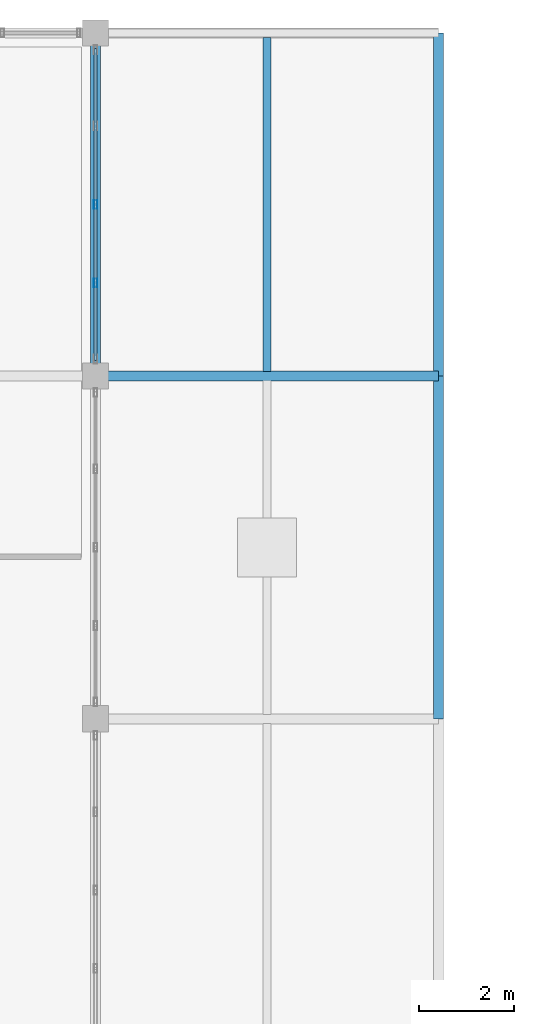
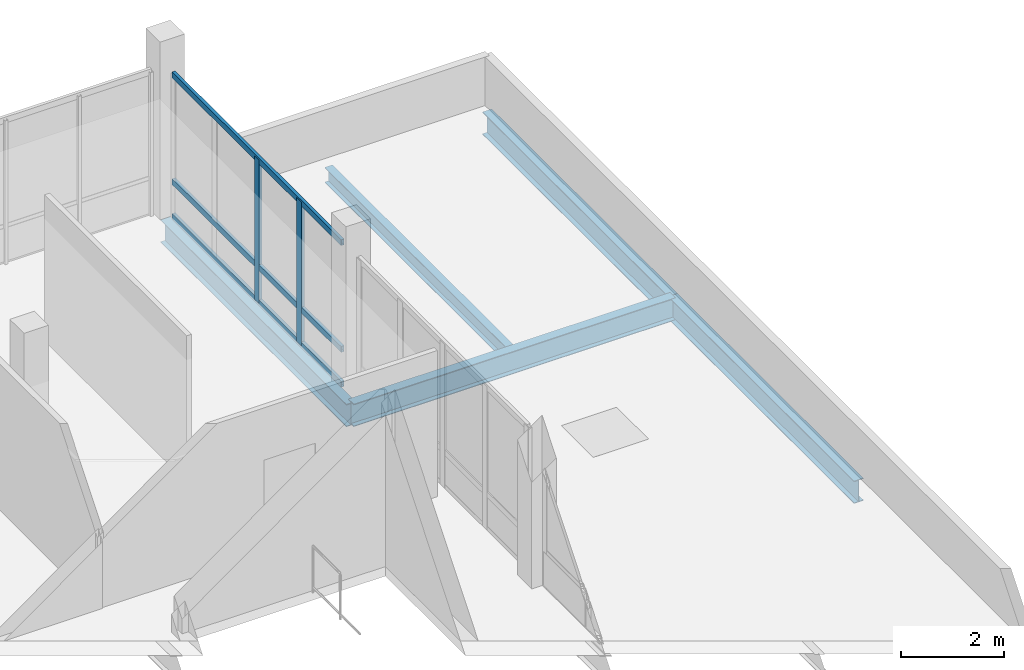
# One storey, part 12 of 28: 5 beams, 5 members, 1 element without a shape of its own.
"""IFC4 building model written with IfcOpenShell, lengths in metres."""

from ifc_helpers import new_model, si_unit, direction, frame, origin, origin_2d, place, context, subcontext, project, spatial, hollow_rectangle, i_section, extrude, material, material_profile, profile_set, type_object, element, aggregate, save


model = new_model("IFC4")

# Units and contexts
model_context = context("Model", 3, precision=1e-05, world=origin(), true_north=direction((0.0, 1.0)))
body_context = subcontext(model_context, "Body", "Model", "MODEL_VIEW")
ifc_project = project(units=[si_unit("LENGTHUNIT", "METRE"), si_unit("AREAUNIT", "SQUARE_METRE"), si_unit("VOLUMEUNIT", "CUBIC_METRE"), si_unit("PLANEANGLEUNIT", "RADIAN"), si_unit("MASSUNIT", "GRAM", prefix="KILO")], contexts=[model_context])

# Site, building, storey
site_placement = place(None, origin())
site = spatial("IfcSite", under=ifc_project, at=site_placement, CompositionType="ELEMENT")
building_placement = place(site_placement, origin())
building = spatial("IfcBuilding", under=site, at=building_placement, Name="Yarey Park Central Fire Station", CompositionType="ELEMENT")
storey_placement = place(building_placement, frame((0.0, 0.0, 22.199951171875)))
storey = spatial("IfcBuildingStorey", under=building, at=storey_placement, Name="L06", CompositionType="ELEMENT", Elevation=22.199951171875)

# Curtain wall, members
ifc_material_1 = material(Name="Anodized Aluminium Frame", Category="aluminium")
curtain_wall_type = type_object("IfcCurtainWallType", Name="ENV_CW_HQ_L06", PredefinedType="NOTDEFINED", material=ifc_material_1)
curtain_wall_placement = place(storey_placement, origin())
curtain_wall = element("IfcCurtainWall", 1, at=curtain_wall_placement, inside=storey, type_object=curtain_wall_type, Name="CW_L06_V4_E_108", PredefinedType="NOTDEFINED")
ifc_material_profile_1 = material_profile(ifc_material_1, hollow_rectangle(XDim=0.070068359375, YDim=0.179931640625, WallThickness=0.00390625, at=origin_2d()), Name="ALU 180x70x4")
ifc_profile_set_1 = profile_set([ifc_material_profile_1], Name="Anodized Aluminium Frame")
member_type_1 = type_object("IfcMemberType", Name="ENV_CW_MULLION", PredefinedType="MULLION", material=ifc_profile_set_1)
member_1_placement = place(storey_placement, frame((144.0, 109.955078125, 0.0), z_axis=(0.0, 0.0, 1.0), x_axis=(1.0, 0.0, 0.0)))
member_1 = element("IfcMember", 2, at=member_1_placement, type_object=member_type_1, Name="CW_L06_V4_E_108_MUL2", PredefinedType="MULLION", context=body_context, shape_type="SweptSolid", body=[
    extrude(hollow_rectangle(XDim=0.070068359375, YDim=0.179931640625, WallThickness=0.00390625, at=origin_2d()), origin(), (0.0, 0.0, 1.0), 3.400146484375),
])
member_2_placement = place(storey_placement, frame((144.0, 111.60009765625, 0.0), z_axis=(0.0, 0.0, 1.0), x_axis=(1.0, 0.0, 0.0)))
member_2 = element("IfcMember", 3, at=member_2_placement, type_object=member_type_1, Name="CW_L06_V4_E_108_MUL3", PredefinedType="MULLION", context=body_context, shape_type="SweptSolid", body=[
    extrude(hollow_rectangle(XDim=0.070068359375, YDim=0.179931640625, WallThickness=0.00390625, at=origin_2d()), origin(), (0.0, 0.0, 1.0), 3.400146484375),
])
ifc_material_profile_2 = material_profile(ifc_material_1, hollow_rectangle(XDim=0.070068359375, YDim=0.139892578125, WallThickness=0.00390625, at=origin_2d()), Name="ALU 140x70x4")
ifc_profile_set_2 = profile_set([ifc_material_profile_2], Name="Anodized Aluminium Frame")
member_type_2 = type_object("IfcMemberType", Name="ENV_CW_TRANSOM", PredefinedType="USERDEFINED", material=ifc_profile_set_2)
member_3_placement = place(storey_placement, frame((144.0, 108.324951171875, 0.025146484375), z_axis=(0.0, 1.0, 0.0), x_axis=(-1.0, 0.0, 0.0)))
member_3 = element("IfcMember", 4, at=member_3_placement, type_object=member_type_2, Name="CW_L06_V4_E_108_TRN1", ObjectType="TRANSOM", PredefinedType="USERDEFINED", context=body_context, shape_type="SweptSolid", body=[
    extrude(hollow_rectangle(XDim=0.070068359375, YDim=0.139892578125, WallThickness=0.00390625, at=origin_2d()), origin(), (0.0, 0.0, 1.0), 6.550048828125),
])
member_4_placement = place(storey_placement, frame((144.0, 108.324951171875, 0.85009765625), z_axis=(0.0, 1.0, 0.0), x_axis=(-1.0, 0.0, 0.0)))
member_4 = element("IfcMember", 5, at=member_4_placement, type_object=member_type_2, Name="CW_L06_V4_E_108_TRN2", ObjectType="TRANSOM", PredefinedType="USERDEFINED", context=body_context, shape_type="SweptSolid", body=[
    extrude(hollow_rectangle(XDim=0.070068359375, YDim=0.139892578125, WallThickness=0.00390625, at=origin_2d()), origin(), (0.0, 0.0, 1.0), 6.550048828125),
])
member_5_placement = place(storey_placement, frame((144.0, 108.324951171875, 3.375), z_axis=(0.0, 1.0, 0.0), x_axis=(-1.0, 0.0, 0.0)))
member_5 = element("IfcMember", 6, at=member_5_placement, type_object=member_type_2, Name="CW_L06_V4_E_108_TRN3", ObjectType="TRANSOM", PredefinedType="USERDEFINED", context=body_context, shape_type="SweptSolid", body=[
    extrude(hollow_rectangle(XDim=0.070068359375, YDim=0.139892578125, WallThickness=0.00390625, at=origin_2d()), origin(), (0.0, 0.0, 1.0), 6.550048828125),
])
aggregate(curtain_wall, [member_1, member_2, member_3, member_4, member_5])

# Beams
ifc_material_2 = material(Name="Steel ASTM A992 Gr. 50", Category="steel")
ifc_material_profile_3 = material_profile(ifc_material_2, i_section(OverallWidth=0.208984375, OverallDepth=0.532958984375, WebThickness=0.01025390625, FlangeThickness=0.015625, at=origin_2d()), Name="W530x92")
ifc_profile_set_3 = profile_set([ifc_material_profile_3], Name="Steel ASTM A992 Gr. 50")
beam_type_1 = type_object("IfcBeamType", Name="STR_BM_W530", PredefinedType="BEAM", material=ifc_profile_set_3)
for number, where, z_axis, x_axis, name in (
    (7, (144.0, 108.0, -0.46142578125), (1.0, 0.0, 0.0), (0.0, 1.0, 0.0), "BMX L06 Y1080 X1440"),
    (8, (144.0, 108.0, -0.491455078125), (0.0, 1.0, 0.0), (-1.0, 0.0, 0.0), "BMY L06 X1440 Y1080"),
    (9, (151.199951171875, 100.800048828125, -0.46142578125), (0.0, 1.0, 0.0), (-1.0, 0.0, 0.0), "BMY L06 X1512 Y1008"),
    (10, (151.199951171875, 108.0, -0.46142578125), (0.0, 1.0, 0.0), (-1.0, 0.0, 0.0), "BMY L06 X1512 Y1080"),
):
    element("IfcBeam", number, at=place(storey_placement, frame(where, z_axis=z_axis, x_axis=x_axis)), inside=storey, type_object=beam_type_1, Name=name, PredefinedType="BEAM", context=body_context, shape_type="SweptSolid", body=[
        extrude(i_section(OverallWidth=0.208984375, OverallDepth=0.532958984375, WebThickness=0.01025390625, FlangeThickness=0.015625, at=origin_2d()), origin(), (0.0, 0.0, 1.0), 7.199951171875),
    ])
ifc_material_profile_4 = material_profile(ifc_material_2, i_section(OverallWidth=0.172119140625, OverallDepth=0.35791015625, WebThickness=0.0078125, FlangeThickness=0.01318359375, at=origin_2d()), Name="W360x57")
ifc_profile_set_4 = profile_set([ifc_material_profile_4], Name="Steel ASTM A992 Gr. 50")
beam_type_2 = type_object("IfcBeamType", Name="STR_JST_W360", PredefinedType="JOIST", material=ifc_profile_set_4)
beam_placement = place(storey_placement, frame((147.60009765625, 108.094970703125, -0.3740234375), z_axis=(0.0, 1.0, 0.0), x_axis=(-1.0, 0.0, 0.0)))
element("IfcBeam", 11, at=beam_placement, inside=storey, type_object=beam_type_2, Name="JST L06 X1476 Y1080", PredefinedType="JOIST", context=body_context, shape_type="SweptSolid", body=[
    extrude(i_section(OverallWidth=0.172119140625, OverallDepth=0.35791015625, WebThickness=0.0078125, FlangeThickness=0.01318359375, at=origin_2d()), origin(), (0.0, 0.0, 1.0), 7.010009765625),
])

save(model, "model.ifc")
